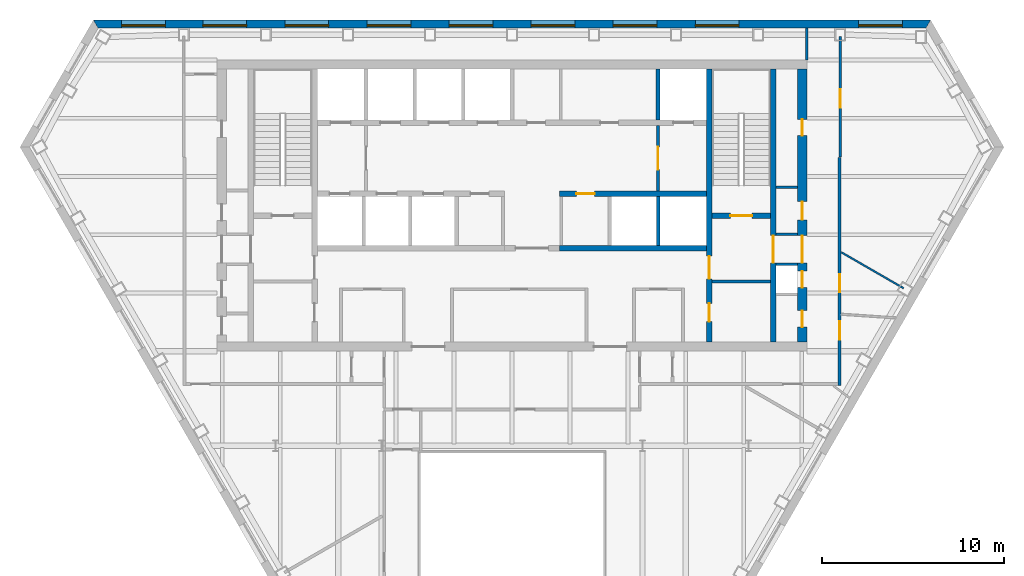
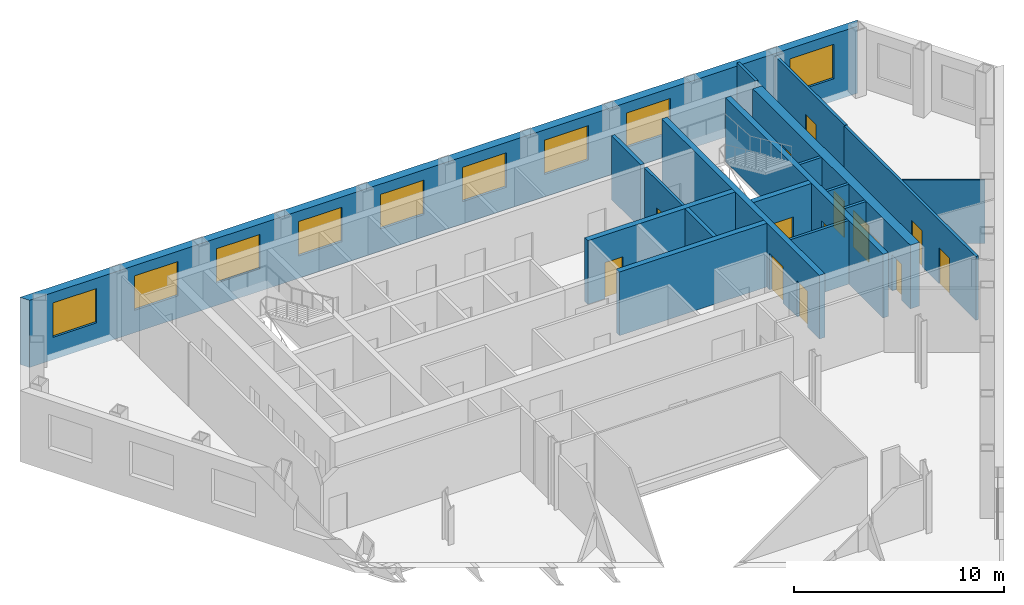
# One storey, part 7 of 11: 18 walls, 14 doors, 9 windows, 23 openings.
"""IFC4 building model written with IfcOpenShell, lengths in metres."""

from ifc_helpers import new_model, si_unit, direction, frame, frame_2d, origin, place, context, subcontext, project, spatial, polyline, rectangle, outline, extrude, material, layer, layer_set, type_object, element, fill, save


model = new_model("IFC4")

# Units and contexts
model_context = context("Model", 3, precision=1e-05, world=origin(), true_north=direction((0.0, 1.0)))
body_context = subcontext(model_context, "Body", "Model", "MODEL_VIEW")
ifc_project = project(units=[si_unit("LENGTHUNIT", "METRE"), si_unit("AREAUNIT", "SQUARE_METRE"), si_unit("VOLUMEUNIT", "CUBIC_METRE"), si_unit("PLANEANGLEUNIT", "RADIAN"), si_unit("MASSUNIT", "GRAM", prefix="KILO")], contexts=[model_context])

# Site, building, storey
site_placement = place(None, origin())
site = spatial("IfcSite", under=ifc_project, at=site_placement, CompositionType="ELEMENT")
building_placement = place(site_placement, origin())
building = spatial("IfcBuilding", under=site, at=building_placement, Name="Njiva Tower", CompositionType="ELEMENT")
storey_placement = place(building_placement, frame((0.0, 0.0, 182.7)))
storey = spatial("IfcBuildingStorey", under=building, at=storey_placement, Name="L40", CompositionType="ELEMENT", Elevation=182.7)

# Walls
ifc_material_1 = material(Name="Blockwork", Category="masonry")
ifc_layer_1 = layer(ifc_material_1, 0.15)
ifc_layer_set_1 = layer_set([ifc_layer_1], Name="Blockwork")
wall_type_1 = type_object("IfcWallType", Name="WT1 Compartment partition 150", PredefinedType="PARTITIONING", material=ifc_layer_set_1)
wall_1_placement = place(storey_placement, frame((11.0, 5.825, 0.0), z_axis=(0.0, 0.0, 1.0), x_axis=(1.0, 0.0, 0.0)))
element("IfcWall", 1, at=wall_1_placement, inside=storey, type_object=wall_type_1, Name="Room wall B", PredefinedType="PARTITIONING", context=body_context, shape_type="SweptSolid", body=[
    extrude(rectangle(XDim=3.2, YDim=0.15, at=frame_2d((1.6, 0.0))), origin(), (0.0, 0.0, 1.0), 3.7),
])
wall_2_placement = place(storey_placement, frame((14.5, 11.0067, 0.0), z_axis=(0.0, 0.0, 1.0), x_axis=(1.0, 0.0, 0.0)))
element("IfcWall", 2, at=wall_2_placement, inside=storey, type_object=wall_type_1, Name="Partition strip E10", PredefinedType="PARTITIONING", context=body_context, shape_type="SweptSolid", body=[
    extrude(rectangle(XDim=1.2, YDim=0.15, at=frame_2d((0.6, 0.0))), origin(), (0.0, 0.0, 1.0), 3.7),
])

# Wall, openings, doors
ifc_material_2 = material(Name="Concrete C40/50", Category="concrete")
ifc_layer_2 = layer(ifc_material_2, 0.3)
ifc_layer_set_2 = layer_set([ifc_layer_2], Name="Concrete C40/50")
wall_type_2 = type_object("IfcWallType", Name="WT10 Stair enclosure wall 300", PredefinedType="SHEAR", material=ifc_layer_set_2)
wall_3_placement = place(storey_placement, frame((10.85, 2.5, 0.0), z_axis=(0.0, 0.0, 1.0), x_axis=(0.0, 1.0, 0.0)))
wall_3 = element("IfcWall", 3, at=wall_3_placement, inside=storey, type_object=wall_type_2, Name="Stair wall east inner", PredefinedType="SHEAR", context=body_context, shape_type="SweptSolid", body=[
    extrude(rectangle(XDim=15.0, YDim=0.3, at=frame_2d((7.5, 0.0))), origin(), (0.0, 0.0, 1.0), 3.7),
])
opening_1_placement = place(wall_3_placement, frame((3.475, 0.0, 0.0)))
opening_1 = element("IfcOpeningElement", 4, at=opening_1_placement, cuts=wall_3, Name="Opening S13-D919", PredefinedType="OPENING", context=body_context, shape_type="SweptSolid", body=[
    extrude(rectangle(XDim=1.25, YDim=2.1, at=frame_2d((0.625, 1.05))), frame((0.0, 0.16, 0.0), z_axis=(0.0, -1.0, 0.0), x_axis=(1.0, 0.0, 0.0)), (0.0, 0.0, 1.0), 0.32),
])
opening_2_placement = place(wall_3_placement, frame((1.125, 0.0, 0.0)))
opening_2 = element("IfcOpeningElement", 5, at=opening_2_placement, cuts=wall_3, Name="Opening S13-D920", PredefinedType="OPENING", context=body_context, shape_type="SweptSolid", body=[
    extrude(rectangle(XDim=1.0, YDim=2.1, at=frame_2d((0.5, 1.05))), frame((0.0, 0.16, 0.0), z_axis=(0.0, -1.0, 0.0), x_axis=(1.0, 0.0, 0.0)), (0.0, 0.0, 1.0), 0.32),
])
ifc_material_3 = material(Name="Steel door, painted", Category="steel")
door_type_1 = type_object("IfcDoorType", Name="D5 Steel door 1000x2100", OperationType="SINGLE_SWING_LEFT", PredefinedType="DOOR", material=ifc_material_3)
door_1_placement = place(opening_2_placement, origin())
door_1 = element("IfcDoor", 6, at=door_1_placement, inside=storey, type_object=door_type_1, Name="Business centre door", OperationType="SINGLE_SWING_LEFT", OverallHeight=2.1, OverallWidth=1.0, PredefinedType="DOOR", context=body_context, shape_type="SweptSolid", body=[
    extrude(rectangle(XDim=1.0, YDim=2.1, at=frame_2d((0.5, 1.05))), frame((0.0, 0.025, 0.0), z_axis=(0.0, -1.0, 0.0), x_axis=(1.0, 0.0, 0.0)), (0.0, 0.0, 1.0), 0.05),
])
fill(opening_2, door_1)
ifc_material_4 = material(Name="Glazed steel fire door", Category="steel")
door_type_2 = type_object("IfcDoorType", Name="D8 Vestibule corridor door 1250x2100 glazed", OperationType="SINGLE_SWING_LEFT", PredefinedType="DOOR", material=ifc_material_4)
door_2_placement = place(opening_1_placement, origin())
door_2 = element("IfcDoor", 7, at=door_2_placement, inside=storey, type_object=door_type_2, Name="Stair vestibule corridor door", OperationType="SINGLE_SWING_RIGHT", OverallHeight=2.1, OverallWidth=1.25, PredefinedType="DOOR", context=body_context, shape_type="SweptSolid", body=[
    extrude(rectangle(XDim=1.25, YDim=2.1, at=frame_2d((0.625, 1.05))), frame((0.0, 0.025, 0.0), z_axis=(0.0, -1.0, 0.0), x_axis=(1.0, 0.0, 0.0)), (0.0, 0.0, 1.0), 0.05),
])
fill(opening_1, door_2)

# Wall, opening, door
wall_4_placement = place(storey_placement, frame((14.35, 2.5, 0.0), z_axis=(0.0, 0.0, 1.0), x_axis=(0.0, 1.0, 0.0)))
wall_4 = element("IfcWall", 8, at=wall_4_placement, inside=storey, type_object=wall_type_2, Name="Stair wall east outer", PredefinedType="SHEAR", context=body_context, shape_type="SweptSolid", body=[
    extrude(rectangle(XDim=15.0, YDim=0.3, at=frame_2d((7.5, 0.0))), origin(), (0.0, 0.0, 1.0), 3.7),
])
opening_3_placement = place(wall_4_placement, frame((4.35, 0.0, 0.0)))
opening_3 = element("IfcOpeningElement", 9, at=opening_3_placement, cuts=wall_4, Name="Opening S13-D927", PredefinedType="OPENING", context=body_context, shape_type="SweptSolid", body=[
    extrude(rectangle(XDim=1.5, YDim=2.1, at=frame_2d((0.75, 1.05))), frame((0.0, 0.16, 0.0), z_axis=(0.0, -1.0, 0.0), x_axis=(1.0, 0.0, 0.0)), (0.0, 0.0, 1.0), 0.32),
])
door_type_3 = type_object("IfcDoorType", Name="D10 Exit door double 1500x2100 glazed", OperationType="DOUBLE_DOOR_SINGLE_SWING", PredefinedType="DOOR", material=ifc_material_4)
door_3_placement = place(opening_3_placement, origin())
door_3 = element("IfcDoor", 10, at=door_3_placement, inside=storey, type_object=door_type_3, Name="Stair B passage door", OperationType="DOUBLE_DOOR_SINGLE_SWING", OverallHeight=2.1, OverallWidth=1.5, PredefinedType="DOOR", context=body_context, shape_type="SweptSolid", body=[
    extrude(rectangle(XDim=1.5, YDim=2.1, at=frame_2d((0.75, 1.05))), frame((0.0, 0.025, 0.0), z_axis=(0.0, -1.0, 0.0), x_axis=(1.0, 0.0, 0.0)), (0.0, 0.0, 1.0), 0.05),
])
fill(opening_3, door_3)

wall_5_placement = place(storey_placement, frame((11.0, 9.45, 0.0), z_axis=(0.0, 0.0, 1.0), x_axis=(1.0, 0.0, 0.0)))
wall_5 = element("IfcWall", 11, at=wall_5_placement, inside=storey, type_object=wall_type_2, Name="Stair B south wall", PredefinedType="SHEAR", context=body_context, shape_type="SweptSolid", body=[
    extrude(rectangle(XDim=3.2, YDim=0.3, at=frame_2d((1.6, 0.0))), origin(), (0.0, 0.0, 1.0), 3.7),
])
opening_4_placement = place(wall_5_placement, frame((1.0, 0.0, 0.0)))
opening_4 = element("IfcOpeningElement", 12, at=opening_4_placement, cuts=wall_5, Name="Opening S13-D918", PredefinedType="OPENING", context=body_context, shape_type="SweptSolid", body=[
    extrude(rectangle(XDim=1.2, YDim=2.1, at=frame_2d((0.6, 1.05))), frame((0.0, 0.16, 0.0), z_axis=(0.0, -1.0, 0.0), x_axis=(1.0, 0.0, 0.0)), (0.0, 0.0, 1.0), 0.32),
])
door_type_4 = type_object("IfcDoorType", Name="D7 Stair vestibule door 1200x2100 glazed", OperationType="SINGLE_SWING_LEFT", PredefinedType="DOOR", material=ifc_material_4)
door_4_placement = place(opening_4_placement, origin())
door_4 = element("IfcDoor", 13, at=door_4_placement, inside=storey, type_object=door_type_4, Name="Stair B door", OperationType="SINGLE_SWING_LEFT", OverallHeight=2.1, OverallWidth=1.2, PredefinedType="DOOR", context=body_context, shape_type="SweptSolid", body=[
    extrude(rectangle(XDim=1.2, YDim=2.1, at=frame_2d((0.6, 1.05))), frame((0.0, 0.025, 0.0), z_axis=(0.0, -1.0, 0.0), x_axis=(1.0, 0.0, 0.0)), (0.0, 0.0, 1.0), 0.05),
])
fill(opening_4, door_4)

# Wall, openings, doors
ifc_material_5 = material(Name="Concrete C60/75", Category="concrete")
ifc_layer_3 = layer(ifc_material_5, 0.5)
ifc_layer_set_3 = layer_set([ifc_layer_3], Name="Concrete C60/75")
wall_type_3 = type_object("IfcWallType", Name="WT13 Core wall 500", PredefinedType="SHEAR", material=ifc_layer_set_3)
wall_6_placement = place(storey_placement, frame((15.95, 2.5, 0.0), z_axis=(0.0, 0.0, 1.0), x_axis=(0.0, 1.0, 0.0)))
wall_6 = element("IfcWall", 14, at=wall_6_placement, inside=storey, type_object=wall_type_3, Name="Core wall east", PredefinedType="SHEAR", context=body_context, shape_type="SweptSolid", body=[
    extrude(rectangle(XDim=15.0, YDim=0.5, at=frame_2d((7.5, 0.0))), origin(), (0.0, 0.0, 1.0), 3.7),
])
opening_5_placement = place(wall_6_placement, frame((4.35, 0.0, 0.0)))
opening_5 = element("IfcOpeningElement", 15, at=opening_5_placement, cuts=wall_6, Name="Opening S13-D928", PredefinedType="OPENING", context=body_context, shape_type="SweptSolid", body=[
    extrude(rectangle(XDim=1.5, YDim=2.1, at=frame_2d((0.75, 1.05))), frame((0.0, 0.26, 0.0), z_axis=(0.0, -1.0, 0.0), x_axis=(1.0, 0.0, 0.0)), (0.0, 0.0, 1.0), 0.52),
])
opening_6_placement = place(wall_6_placement, frame((0.825, 0.0, 0.0)))
opening_6 = element("IfcOpeningElement", 16, at=opening_6_placement, cuts=wall_6, Name="Opening S13-D929", PredefinedType="OPENING", context=body_context, shape_type="SweptSolid", body=[
    extrude(rectangle(XDim=0.9, YDim=2.1, at=frame_2d((0.45, 1.05))), frame((0.0, 0.26, 0.0), z_axis=(0.0, -1.0, 0.0), x_axis=(1.0, 0.0, 0.0)), (0.0, 0.0, 1.0), 0.52),
])
opening_7_placement = place(wall_6_placement, frame((3.0, 0.0, 0.0)))
opening_7 = element("IfcOpeningElement", 17, at=opening_7_placement, cuts=wall_6, Name="Opening S13-D930", PredefinedType="OPENING", context=body_context, shape_type="SweptSolid", body=[
    extrude(rectangle(XDim=0.9, YDim=2.1, at=frame_2d((0.45, 1.05))), frame((0.0, 0.26, 0.0), z_axis=(0.0, -1.0, 0.0), x_axis=(1.0, 0.0, 0.0)), (0.0, 0.0, 1.0), 0.52),
])
opening_8_placement = place(wall_6_placement, frame((6.7158, 0.0, 0.0)))
opening_8 = element("IfcOpeningElement", 18, at=opening_8_placement, cuts=wall_6, Name="Opening S13-D931", PredefinedType="OPENING", context=body_context, shape_type="SweptSolid", body=[
    extrude(rectangle(XDim=1.0, YDim=2.1, at=frame_2d((0.5, 1.05))), frame((0.0, 0.26, 0.0), z_axis=(0.0, -1.0, 0.0), x_axis=(1.0, 0.0, 0.0)), (0.0, 0.0, 1.0), 0.52),
])
opening_9_placement = place(wall_6_placement, frame((11.3408, 0.0, 0.0)))
opening_9 = element("IfcOpeningElement", 19, at=opening_9_placement, cuts=wall_6, Name="Opening S13-D932", PredefinedType="OPENING", context=body_context, shape_type="SweptSolid", body=[
    extrude(rectangle(XDim=0.9, YDim=2.1, at=frame_2d((0.45, 1.05))), frame((0.0, 0.26, 0.0), z_axis=(0.0, -1.0, 0.0), x_axis=(1.0, 0.0, 0.0)), (0.0, 0.0, 1.0), 0.52),
])
door_5_placement = place(opening_5_placement, origin())
door_5 = element("IfcDoor", 20, at=door_5_placement, inside=storey, type_object=door_type_3, Name="Stair B corridor door", OperationType="DOUBLE_DOOR_SINGLE_SWING", OverallHeight=2.1, OverallWidth=1.5, PredefinedType="DOOR", context=body_context, shape_type="SweptSolid", body=[
    extrude(rectangle(XDim=1.5, YDim=2.1, at=frame_2d((0.75, 1.05))), frame((0.0, 0.025, 0.0), z_axis=(0.0, -1.0, 0.0), x_axis=(1.0, 0.0, 0.0)), (0.0, 0.0, 1.0), 0.05),
])
fill(opening_5, door_5)
door_type_5 = type_object("IfcDoorType", Name="D4 Riser door 900x2100", OperationType="SINGLE_SWING_LEFT", PredefinedType="DOOR", material=ifc_material_3)
door_6_placement = place(opening_7_placement, origin())
door_6 = element("IfcDoor", 21, at=door_6_placement, inside=storey, type_object=door_type_5, Name="Cable riser door", OperationType="SINGLE_SWING_LEFT", OverallHeight=2.1, OverallWidth=0.9, PredefinedType="DOOR", context=body_context, shape_type="SweptSolid", body=[
    extrude(rectangle(XDim=0.9, YDim=2.1, at=frame_2d((0.45, 1.05))), frame((0.0, 0.025, 0.0), z_axis=(0.0, -1.0, 0.0), x_axis=(1.0, 0.0, 0.0)), (0.0, 0.0, 1.0), 0.05),
])
fill(opening_7, door_6)
door_7_placement = place(opening_8_placement, origin())
door_7 = element("IfcDoor", 22, at=door_7_placement, inside=storey, type_object=door_type_1, Name="Telecoms room door", OperationType="SINGLE_SWING_LEFT", OverallHeight=2.1, OverallWidth=1.0, PredefinedType="DOOR", context=body_context, shape_type="SweptSolid", body=[
    extrude(rectangle(XDim=1.0, YDim=2.1, at=frame_2d((0.5, 1.05))), frame((0.0, 0.025, 0.0), z_axis=(0.0, -1.0, 0.0), x_axis=(1.0, 0.0, 0.0)), (0.0, 0.0, 1.0), 0.05),
])
fill(opening_8, door_7)
ifc_material_6 = material(Name="Steel fire door, painted", Category="steel")
door_type_6 = type_object("IfcDoorType", Name="D6 Fire-rated door 900x2100", OperationType="SINGLE_SWING_LEFT", PredefinedType="DOOR", material=ifc_material_6)
door_8_placement = place(opening_6_placement, origin())
door_8 = element("IfcDoor", 23, at=door_8_placement, inside=storey, type_object=door_type_6, Name="Cable store door", OperationType="SINGLE_SWING_LEFT", OverallHeight=2.1, OverallWidth=0.9, PredefinedType="DOOR", context=body_context, shape_type="SweptSolid", body=[
    extrude(rectangle(XDim=0.9, YDim=2.1, at=frame_2d((0.45, 1.05))), frame((0.0, 0.025, 0.0), z_axis=(0.0, -1.0, 0.0), x_axis=(1.0, 0.0, 0.0)), (0.0, 0.0, 1.0), 0.05),
])
fill(opening_6, door_8)
door_9_placement = place(opening_9_placement, origin())
door_9 = element("IfcDoor", 24, at=door_9_placement, inside=storey, type_object=door_type_6, Name="Cable store door", OperationType="SINGLE_SWING_RIGHT", OverallHeight=2.1, OverallWidth=0.9, PredefinedType="DOOR", context=body_context, shape_type="SweptSolid", body=[
    extrude(rectangle(XDim=0.9, YDim=2.1, at=frame_2d((0.45, 1.05))), frame((0.0, 0.025, 0.0), z_axis=(0.0, -1.0, 0.0), x_axis=(1.0, 0.0, 0.0)), (0.0, 0.0, 1.0), 0.05),
])
fill(opening_9, door_9)

# Wall, opening, door
ifc_layer_4 = layer(ifc_material_1, 0.15)
ifc_layer_set_4 = layer_set([ifc_layer_4], Name="Blockwork")
wall_type_4 = type_object("IfcWallType", Name="WT2 Lobby partition 150", PredefinedType="PARTITIONING", material=ifc_layer_set_4)
wall_7_placement = place(storey_placement, frame((8.025, 10.8, 0.0), z_axis=(0.0, 0.0, 1.0), x_axis=(0.0, 1.0, 0.0)))
wall_7 = element("IfcWall", 25, at=wall_7_placement, inside=storey, type_object=wall_type_4, Name="Firefighting lobby wall B", PredefinedType="PARTITIONING", context=body_context, shape_type="SweptSolid", body=[
    extrude(rectangle(XDim=3.6, YDim=0.15, at=frame_2d((1.8, 0.0))), origin(), (0.0, 0.0, 1.0), 3.7),
])
opening_10_placement = place(wall_7_placement, frame((1.175, 0.0, 0.0)))
opening_10 = element("IfcOpeningElement", 26, at=opening_10_placement, cuts=wall_7, Name="Opening S13-D917", PredefinedType="OPENING", context=body_context, shape_type="SweptSolid", body=[
    extrude(rectangle(XDim=1.25, YDim=2.1, at=frame_2d((0.625, 1.05))), frame((0.0, 0.085, 0.0), z_axis=(0.0, -1.0, 0.0), x_axis=(1.0, 0.0, 0.0)), (0.0, 0.0, 1.0), 0.17),
])
door_10_placement = place(opening_10_placement, origin())
door_10 = element("IfcDoor", 27, at=door_10_placement, inside=storey, type_object=door_type_2, Name="Stair vestibule corridor door", OperationType="SINGLE_SWING_LEFT", OverallHeight=2.1, OverallWidth=1.25, PredefinedType="DOOR", context=body_context, shape_type="SweptSolid", body=[
    extrude(rectangle(XDim=1.25, YDim=2.1, at=frame_2d((0.625, 1.05))), frame((0.0, 0.025, 0.0), z_axis=(0.0, -1.0, 0.0), x_axis=(1.0, 0.0, 0.0)), (0.0, 0.0, 1.0), 0.05),
])
fill(opening_10, door_10)

# Walls
ifc_material_7 = material(Name="Gypsum board on steel studs", Category="gypsum")
ifc_layer_5 = layer(ifc_material_7, 0.1)
ifc_layer_set_5 = layer_set([ifc_layer_5], Name="Gypsum board on steel studs")
wall_type_5 = type_object("IfcWallType", Name="WT20 Gypsum partition 100", PredefinedType="PARTITIONING", material=ifc_layer_set_5)
wall_8_placement = place(storey_placement, frame((18.1, 7.434, 0.0), z_axis=(0.0, 0.0, 1.0), x_axis=(0.866113839764, -0.499846793097, 0.0)))
element("IfcWall", 28, at=wall_8_placement, inside=storey, type_object=wall_type_5, Name="Partition S13-P030", PredefinedType="PARTITIONING", context=body_context, shape_type="SweptSolid", body=[
    extrude(rectangle(XDim=3.9452, YDim=0.1, at=frame_2d((1.9726, 0.0))), origin(), (0.0, 0.0, 1.0), 3.7),
])
ifc_layer_6 = layer(ifc_material_7, 0.15)
ifc_layer_set_6 = layer_set([ifc_layer_6], Name="Gypsum board on steel studs")
wall_type_6 = type_object("IfcWallType", Name="WT21 Compartment wall 150", PredefinedType="PARTITIONING", material=ifc_layer_set_6)
wall_9_placement = place(storey_placement, frame((16.2, 18.0, 0.0), z_axis=(0.0, 0.0, 1.0), x_axis=(0.0, 1.0, 0.0)))
element("IfcWall", 29, at=wall_9_placement, inside=storey, type_object=wall_type_6, Name="Partition S13-P025", PredefinedType="PARTITIONING", context=body_context, shape_type="SweptSolid", body=[
    extrude(rectangle(XDim=1.75, YDim=0.15, at=frame_2d((0.875, 0.0))), origin(), (0.0, 0.0, 1.0), 3.7),
])

# Wall, openings, doors
wall_10_placement = place(storey_placement, frame((18.0, 0.125, 0.0), z_axis=(0.0, 0.0, 1.0), x_axis=(0.0, 1.0, 0.0)))
wall_10 = element("IfcWall", 30, at=wall_10_placement, inside=storey, type_object=wall_type_6, Name="Partition S13-P027", PredefinedType="PARTITIONING", context=body_context, shape_type="SweptSolid", body=[
    extrude(rectangle(XDim=12.531, YDim=0.15, at=frame_2d((6.2655, 0.0))), origin(), (0.0, 0.0, 1.0), 3.7),
])
opening_11_placement = place(wall_10_placement, frame((2.51, 0.0, 0.0)))
opening_11 = element("IfcOpeningElement", 31, at=opening_11_placement, cuts=wall_10, Name="Opening S13-D013", PredefinedType="OPENING", context=body_context, shape_type="SweptSolid", body=[
    extrude(rectangle(XDim=1.0, YDim=2.1, at=frame_2d((0.5, 1.05))), frame((0.0, 0.085, 0.0), z_axis=(0.0, -1.0, 0.0), x_axis=(1.0, 0.0, 0.0)), (0.0, 0.0, 1.0), 0.17),
])
opening_12_placement = place(wall_10_placement, frame((5.114, 0.0, 0.0)))
opening_12 = element("IfcOpeningElement", 32, at=opening_12_placement, cuts=wall_10, Name="Opening S13-D014", PredefinedType="OPENING", context=body_context, shape_type="SweptSolid", body=[
    extrude(rectangle(XDim=1.0, YDim=2.1, at=frame_2d((0.5, 1.05))), frame((0.0, 0.085, 0.0), z_axis=(0.0, -1.0, 0.0), x_axis=(1.0, 0.0, 0.0)), (0.0, 0.0, 1.0), 0.17),
])
ifc_material_8 = material(Name="Steel fire door set", Category="steel")
door_type_7 = type_object("IfcDoorType", Name="D37 Fire door 1000x2100", OperationType="SINGLE_SWING_LEFT", PredefinedType="DOOR", material=ifc_material_8)
door_11_placement = place(opening_11_placement, origin())
door_11 = element("IfcDoor", 33, at=door_11_placement, inside=storey, type_object=door_type_7, Name="Door S13-D013", OperationType="SINGLE_SWING_LEFT", OverallHeight=2.1, OverallWidth=1.0, PredefinedType="DOOR", context=body_context, shape_type="SweptSolid", body=[
    extrude(rectangle(XDim=1.0, YDim=2.1, at=frame_2d((0.5, 1.05))), frame((0.0, 0.025, 0.0), z_axis=(0.0, -1.0, 0.0), x_axis=(1.0, 0.0, 0.0)), (0.0, 0.0, 1.0), 0.05),
])
fill(opening_11, door_11)
door_12_placement = place(opening_12_placement, origin())
door_12 = element("IfcDoor", 34, at=door_12_placement, inside=storey, type_object=door_type_7, Name="Door S13-D014", OperationType="SINGLE_SWING_LEFT", OverallHeight=2.1, OverallWidth=1.0, PredefinedType="DOOR", context=body_context, shape_type="SweptSolid", body=[
    extrude(rectangle(XDim=1.0, YDim=2.1, at=frame_2d((0.5, 1.05))), frame((0.0, 0.025, 0.0), z_axis=(0.0, -1.0, 0.0), x_axis=(1.0, 0.0, 0.0)), (0.0, 0.0, 1.0), 0.05),
])
fill(opening_12, door_12)

# Wall, opening, door
wall_11_placement = place(storey_placement, frame((18.035, 12.678, 0.0), z_axis=(0.0, 0.0, 1.0), x_axis=(0.0, 1.0, 0.0)))
wall_11 = element("IfcWall", 35, at=wall_11_placement, inside=storey, type_object=wall_type_6, Name="Partition S13-P028", PredefinedType="PARTITIONING", context=body_context, shape_type="SweptSolid", body=[
    extrude(rectangle(XDim=6.622, YDim=0.15, at=frame_2d((3.311, 0.0))), origin(), (0.0, 0.0, 1.0), 3.7),
])
opening_13_placement = place(wall_11_placement, frame((2.711, 0.0, 0.0)))
opening_13 = element("IfcOpeningElement", 36, at=opening_13_placement, cuts=wall_11, Name="Opening S13-D015", PredefinedType="OPENING", context=body_context, shape_type="SweptSolid", body=[
    extrude(rectangle(XDim=1.0, YDim=2.1, at=frame_2d((0.5, 1.05))), frame((0.0, 0.085, 0.0), z_axis=(0.0, -1.0, 0.0), x_axis=(1.0, 0.0, 0.0)), (0.0, 0.0, 1.0), 0.17),
])
door_13_placement = place(opening_13_placement, origin())
door_13 = element("IfcDoor", 37, at=door_13_placement, inside=storey, type_object=door_type_7, Name="Door S13-D015", OperationType="SINGLE_SWING_LEFT", OverallHeight=2.1, OverallWidth=1.0, PredefinedType="DOOR", context=body_context, shape_type="SweptSolid", body=[
    extrude(rectangle(XDim=1.0, YDim=2.1, at=frame_2d((0.5, 1.05))), frame((0.0, 0.025, 0.0), z_axis=(0.0, -1.0, 0.0), x_axis=(1.0, 0.0, 0.0)), (0.0, 0.0, 1.0), 0.05),
])
fill(opening_13, door_13)

# Walls
ifc_layer_7 = layer(ifc_material_1, 0.15)
ifc_layer_set_7 = layer_set([ifc_layer_7], Name="Blockwork")
wall_type_7 = type_object("IfcWallType", Name="WT4 Stair partition 150", PredefinedType="PARTITIONING", material=ifc_layer_set_7)
for number, where, z_axis, x_axis, name in (
    (38, (14.5, 6.775, 0.0), (0.0, 0.0, 1.0), (1.0, 0.0, 0.0), "Stair B exit passage wall south"),
    (39, (14.5, 8.425, 0.0), (0.0, 0.0, 1.0), (1.0, 0.0, 0.0), "Stair B exit passage wall north"),
):
    element("IfcWall", number, at=place(storey_placement, frame(where, z_axis=z_axis, x_axis=x_axis)), inside=storey, type_object=wall_type_7, Name=name, PredefinedType="PARTITIONING", context=body_context, shape_type="SweptSolid", body=[
        extrude(rectangle(XDim=1.2, YDim=0.15, at=frame_2d((0.6, 0.0))), origin(), (0.0, 0.0, 1.0), 3.7),
    ])
ifc_layer_8 = layer(ifc_material_2, 0.2)
ifc_layer_set_8 = layer_set([ifc_layer_8], Name="Concrete C40/50")
wall_type_8 = type_object("IfcWallType", Name="WT6 Lift shaft wall 200", PredefinedType="SHEAR", material=ifc_layer_set_8)
wall_12_placement = place(storey_placement, frame((8.025, 14.7, 0.0), z_axis=(0.0, 0.0, 1.0), x_axis=(0.0, 1.0, 0.0)))
element("IfcWall", 40, at=wall_12_placement, inside=storey, type_object=wall_type_8, Name="Shaft wall CN7", PredefinedType="SHEAR", context=body_context, shape_type="SweptSolid", body=[
    extrude(rectangle(XDim=2.8, YDim=0.2, at=frame_2d((1.4, 0.0))), origin(), (0.0, 0.0, 1.0), 3.7),
])
wall_13_placement = place(storey_placement, frame((8.0333, 7.8, 0.0), z_axis=(0.0, 0.0, 1.0), x_axis=(0.0, 1.0, 0.0)))
element("IfcWall", 41, at=wall_13_placement, inside=storey, type_object=wall_type_8, Name="Shaft wall CS7", PredefinedType="SHEAR", context=body_context, shape_type="SweptSolid", body=[
    extrude(rectangle(XDim=2.7, YDim=0.2, at=frame_2d((1.35, 0.0))), origin(), (0.0, 0.0, 1.0), 3.7),
])

# Wall, opening, door
ifc_layer_9 = layer(ifc_material_2, 0.3)
ifc_layer_set_9 = layer_set([ifc_layer_9], Name="Concrete C40/50")
wall_type_9 = type_object("IfcWallType", Name="WT7 Lift shaft wall 300", PredefinedType="SHEAR", material=ifc_layer_set_9)
wall_14_placement = place(storey_placement, frame((2.6, 10.65, 0.0), z_axis=(0.0, 0.0, 1.0), x_axis=(1.0, 0.0, 0.0)))
wall_14 = element("IfcWall", 42, at=wall_14_placement, inside=storey, type_object=wall_type_9, Name="Shaft wall south row lobby side E", PredefinedType="SHEAR", context=body_context, shape_type="SweptSolid", body=[
    extrude(rectangle(XDim=8.1, YDim=0.3, at=frame_2d((4.05, 0.0))), origin(), (0.0, 0.0, 1.0), 3.7),
])
opening_14_placement = place(wall_14_placement, frame((0.9334, 0.0, 0.0)))
opening_14 = element("IfcOpeningElement", 43, at=opening_14_placement, cuts=wall_14, Name="Opening S13-D912", PredefinedType="OPENING", context=body_context, shape_type="SweptSolid", body=[
    extrude(rectangle(XDim=1.0, YDim=2.1, at=frame_2d((0.5, 1.05))), frame((0.0, 0.16, 0.0), z_axis=(0.0, -1.0, 0.0), x_axis=(1.0, 0.0, 0.0)), (0.0, 0.0, 1.0), 0.32),
])
door_14_placement = place(opening_14_placement, origin())
door_14 = element("IfcDoor", 44, at=door_14_placement, inside=storey, type_object=door_type_1, Name="Meeting room door", OperationType="SINGLE_SWING_LEFT", OverallHeight=2.1, OverallWidth=1.0, PredefinedType="DOOR", context=body_context, shape_type="SweptSolid", body=[
    extrude(rectangle(XDim=1.0, YDim=2.1, at=frame_2d((0.5, 1.05))), frame((0.0, 0.025, 0.0), z_axis=(0.0, -1.0, 0.0), x_axis=(1.0, 0.0, 0.0)), (0.0, 0.0, 1.0), 0.05),
])
fill(opening_14, door_14)

# Wall
wall_15_placement = place(storey_placement, frame((2.6, 7.65, 0.0), z_axis=(0.0, 0.0, 1.0), x_axis=(1.0, 0.0, 0.0)))
element("IfcWall", 45, at=wall_15_placement, inside=storey, type_object=wall_type_9, Name="Shaft wall south row back E", PredefinedType="SHEAR", context=body_context, shape_type="SweptSolid", body=[
    extrude(rectangle(XDim=8.1, YDim=0.3, at=frame_2d((4.05, 0.0))), origin(), (0.0, 0.0, 1.0), 3.7),
])

# Wall, openings, windows
ifc_material_9 = material(Name="Brick masonry", Category="masonry")
ifc_layer_10 = layer(ifc_material_9, 0.45)
ifc_layer_set_10 = layer_set([ifc_layer_10], Name="Brick masonry")
wall_type_10 = type_object("IfcWallType", Name="WT90 Brick pier and spandrel wall 450", PredefinedType="SOLIDWALL", material=ifc_layer_set_10)
wall_16_placement = place(storey_placement, frame((22.8751, 19.975, -0.4), z_axis=(0.0, 0.0, 1.0), x_axis=(-1.0, 0.0, 0.0)))
wall_16 = element("IfcWall", 46, at=wall_16_placement, inside=storey, type_object=wall_type_10, Name="Facade wall N", PredefinedType="SOLIDWALL", context=body_context, shape_type="SweptSolid", body=[
    extrude(outline(polyline([(-0.1299, -0.225), (45.8801, -0.225), (45.6203, 0.225), (0.1299, 0.225), (-0.1299, -0.225)])), origin(), (0.0, 0.0, 1.0), 3.9),
])
opening_15_placement = place(wall_16_placement, frame((1.4247, 0.0, 1.3)))
opening_15 = element("IfcOpeningElement", 47, at=opening_15_placement, cuts=wall_16, Name="Opening S13-W01", PredefinedType="OPENING", context=body_context, shape_type="SweptSolid", body=[
    extrude(rectangle(XDim=2.4, YDim=2.0, at=frame_2d((1.2, 1.0))), frame((0.0, 0.235, 0.0), z_axis=(0.0, -1.0, 0.0), x_axis=(1.0, 0.0, 0.0)), (0.0, 0.0, 1.0), 0.47),
])
opening_16_placement = place(wall_16_placement, frame((10.4035, 0.0, 1.3)))
opening_16 = element("IfcOpeningElement", 48, at=opening_16_placement, cuts=wall_16, Name="Opening S13-W02", PredefinedType="OPENING", context=body_context, shape_type="SweptSolid", body=[
    extrude(rectangle(XDim=2.4, YDim=2.0, at=frame_2d((1.2, 1.0))), frame((0.0, 0.235, 0.0), z_axis=(0.0, -1.0, 0.0), x_axis=(1.0, 0.0, 0.0)), (0.0, 0.0, 1.0), 0.47),
])
opening_17_placement = place(wall_16_placement, frame((14.9122, 0.0, 1.3)))
opening_17 = element("IfcOpeningElement", 49, at=opening_17_placement, cuts=wall_16, Name="Opening S13-W03", PredefinedType="OPENING", context=body_context, shape_type="SweptSolid", body=[
    extrude(rectangle(XDim=2.4, YDim=2.0, at=frame_2d((1.2, 1.0))), frame((0.0, 0.235, 0.0), z_axis=(0.0, -1.0, 0.0), x_axis=(1.0, 0.0, 0.0)), (0.0, 0.0, 1.0), 0.47),
])
opening_18_placement = place(wall_16_placement, frame((19.4208, 0.0, 1.3)))
opening_18 = element("IfcOpeningElement", 50, at=opening_18_placement, cuts=wall_16, Name="Opening S13-W04", PredefinedType="OPENING", context=body_context, shape_type="SweptSolid", body=[
    extrude(rectangle(XDim=2.4, YDim=2.0, at=frame_2d((1.2, 1.0))), frame((0.0, 0.235, 0.0), z_axis=(0.0, -1.0, 0.0), x_axis=(1.0, 0.0, 0.0)), (0.0, 0.0, 1.0), 0.47),
])
opening_19_placement = place(wall_16_placement, frame((23.9294, 0.0, 1.3)))
opening_19 = element("IfcOpeningElement", 51, at=opening_19_placement, cuts=wall_16, Name="Opening S13-W05", PredefinedType="OPENING", context=body_context, shape_type="SweptSolid", body=[
    extrude(rectangle(XDim=2.4, YDim=2.0, at=frame_2d((1.2, 1.0))), frame((0.0, 0.235, 0.0), z_axis=(0.0, -1.0, 0.0), x_axis=(1.0, 0.0, 0.0)), (0.0, 0.0, 1.0), 0.47),
])
opening_20_placement = place(wall_16_placement, frame((28.438, 0.0, 1.3)))
opening_20 = element("IfcOpeningElement", 52, at=opening_20_placement, cuts=wall_16, Name="Opening S13-W06", PredefinedType="OPENING", context=body_context, shape_type="SweptSolid", body=[
    extrude(rectangle(XDim=2.4, YDim=2.0, at=frame_2d((1.2, 1.0))), frame((0.0, 0.235, 0.0), z_axis=(0.0, -1.0, 0.0), x_axis=(1.0, 0.0, 0.0)), (0.0, 0.0, 1.0), 0.47),
])
opening_21_placement = place(wall_16_placement, frame((32.9466, 0.0, 1.3)))
opening_21 = element("IfcOpeningElement", 53, at=opening_21_placement, cuts=wall_16, Name="Opening S13-W07", PredefinedType="OPENING", context=body_context, shape_type="SweptSolid", body=[
    extrude(rectangle(XDim=2.4, YDim=2.0, at=frame_2d((1.2, 1.0))), frame((0.0, 0.235, 0.0), z_axis=(0.0, -1.0, 0.0), x_axis=(1.0, 0.0, 0.0)), (0.0, 0.0, 1.0), 0.47),
])
opening_22_placement = place(wall_16_placement, frame((37.4553, 0.0, 1.3)))
opening_22 = element("IfcOpeningElement", 54, at=opening_22_placement, cuts=wall_16, Name="Opening S13-W08", PredefinedType="OPENING", context=body_context, shape_type="SweptSolid", body=[
    extrude(rectangle(XDim=2.4, YDim=2.0, at=frame_2d((1.2, 1.0))), frame((0.0, 0.235, 0.0), z_axis=(0.0, -1.0, 0.0), x_axis=(1.0, 0.0, 0.0)), (0.0, 0.0, 1.0), 0.47),
])
opening_23_placement = place(wall_16_placement, frame((41.9255, 0.0, 1.3)))
opening_23 = element("IfcOpeningElement", 55, at=opening_23_placement, cuts=wall_16, Name="Opening S13-W09", PredefinedType="OPENING", context=body_context, shape_type="SweptSolid", body=[
    extrude(rectangle(XDim=2.4, YDim=2.0, at=frame_2d((1.2, 1.0))), frame((0.0, 0.235, 0.0), z_axis=(0.0, -1.0, 0.0), x_axis=(1.0, 0.0, 0.0)), (0.0, 0.0, 1.0), 0.47),
])
ifc_material_10 = material(Name="Clear glazing in aluminium frame", Category="aluminium")
window_type = type_object("IfcWindowType", Name="W90 Deep-set window 2400x2000", PartitioningType="SINGLE_PANEL", PredefinedType="WINDOW", material=ifc_material_10)
window_1_placement = place(opening_15_placement, origin())
window_1 = element("IfcWindow", 56, at=window_1_placement, inside=storey, type_object=window_type, Name="Window", OverallHeight=2.0, OverallWidth=2.4, PartitioningType="SINGLE_PANEL", PredefinedType="WINDOW", context=body_context, shape_type="SweptSolid", body=[
    extrude(rectangle(XDim=2.4, YDim=2.0, at=frame_2d((1.2, 1.0))), frame((0.0, 0.105, 0.0), z_axis=(0.0, -1.0, 0.0), x_axis=(1.0, 0.0, 0.0)), (0.0, 0.0, 1.0), 0.06),
])
fill(opening_15, window_1)
window_2_placement = place(opening_16_placement, origin())
window_2 = element("IfcWindow", 57, at=window_2_placement, inside=storey, type_object=window_type, Name="Window", OverallHeight=2.0, OverallWidth=2.4, PartitioningType="SINGLE_PANEL", PredefinedType="WINDOW", context=body_context, shape_type="SweptSolid", body=[
    extrude(rectangle(XDim=2.4, YDim=2.0, at=frame_2d((1.2, 1.0))), frame((0.0, 0.105, 0.0), z_axis=(0.0, -1.0, 0.0), x_axis=(1.0, 0.0, 0.0)), (0.0, 0.0, 1.0), 0.06),
])
fill(opening_16, window_2)
window_3_placement = place(opening_17_placement, origin())
window_3 = element("IfcWindow", 58, at=window_3_placement, inside=storey, type_object=window_type, Name="Window", OverallHeight=2.0, OverallWidth=2.4, PartitioningType="SINGLE_PANEL", PredefinedType="WINDOW", context=body_context, shape_type="SweptSolid", body=[
    extrude(rectangle(XDim=2.4, YDim=2.0, at=frame_2d((1.2, 1.0))), frame((0.0, 0.105, 0.0), z_axis=(0.0, -1.0, 0.0), x_axis=(1.0, 0.0, 0.0)), (0.0, 0.0, 1.0), 0.06),
])
fill(opening_17, window_3)
window_4_placement = place(opening_18_placement, origin())
window_4 = element("IfcWindow", 59, at=window_4_placement, inside=storey, type_object=window_type, Name="Window", OverallHeight=2.0, OverallWidth=2.4, PartitioningType="SINGLE_PANEL", PredefinedType="WINDOW", context=body_context, shape_type="SweptSolid", body=[
    extrude(rectangle(XDim=2.4, YDim=2.0, at=frame_2d((1.2, 1.0))), frame((0.0, 0.105, 0.0), z_axis=(0.0, -1.0, 0.0), x_axis=(1.0, 0.0, 0.0)), (0.0, 0.0, 1.0), 0.06),
])
fill(opening_18, window_4)
window_5_placement = place(opening_19_placement, origin())
window_5 = element("IfcWindow", 60, at=window_5_placement, inside=storey, type_object=window_type, Name="Window", OverallHeight=2.0, OverallWidth=2.4, PartitioningType="SINGLE_PANEL", PredefinedType="WINDOW", context=body_context, shape_type="SweptSolid", body=[
    extrude(rectangle(XDim=2.4, YDim=2.0, at=frame_2d((1.2, 1.0))), frame((0.0, 0.105, 0.0), z_axis=(0.0, -1.0, 0.0), x_axis=(1.0, 0.0, 0.0)), (0.0, 0.0, 1.0), 0.06),
])
fill(opening_19, window_5)
window_6_placement = place(opening_20_placement, origin())
window_6 = element("IfcWindow", 61, at=window_6_placement, inside=storey, type_object=window_type, Name="Window", OverallHeight=2.0, OverallWidth=2.4, PartitioningType="SINGLE_PANEL", PredefinedType="WINDOW", context=body_context, shape_type="SweptSolid", body=[
    extrude(rectangle(XDim=2.4, YDim=2.0, at=frame_2d((1.2, 1.0))), frame((0.0, 0.105, 0.0), z_axis=(0.0, -1.0, 0.0), x_axis=(1.0, 0.0, 0.0)), (0.0, 0.0, 1.0), 0.06),
])
fill(opening_20, window_6)
window_7_placement = place(opening_21_placement, origin())
window_7 = element("IfcWindow", 62, at=window_7_placement, inside=storey, type_object=window_type, Name="Window", OverallHeight=2.0, OverallWidth=2.4, PartitioningType="SINGLE_PANEL", PredefinedType="WINDOW", context=body_context, shape_type="SweptSolid", body=[
    extrude(rectangle(XDim=2.4, YDim=2.0, at=frame_2d((1.2, 1.0))), frame((0.0, 0.105, 0.0), z_axis=(0.0, -1.0, 0.0), x_axis=(1.0, 0.0, 0.0)), (0.0, 0.0, 1.0), 0.06),
])
fill(opening_21, window_7)
window_8_placement = place(opening_22_placement, origin())
window_8 = element("IfcWindow", 63, at=window_8_placement, inside=storey, type_object=window_type, Name="Window", OverallHeight=2.0, OverallWidth=2.4, PartitioningType="SINGLE_PANEL", PredefinedType="WINDOW", context=body_context, shape_type="SweptSolid", body=[
    extrude(rectangle(XDim=2.4, YDim=2.0, at=frame_2d((1.2, 1.0))), frame((0.0, 0.105, 0.0), z_axis=(0.0, -1.0, 0.0), x_axis=(1.0, 0.0, 0.0)), (0.0, 0.0, 1.0), 0.06),
])
fill(opening_22, window_8)
window_9_placement = place(opening_23_placement, origin())
window_9 = element("IfcWindow", 64, at=window_9_placement, inside=storey, type_object=window_type, Name="Window", OverallHeight=2.0, OverallWidth=2.4, PartitioningType="SINGLE_PANEL", PredefinedType="WINDOW", context=body_context, shape_type="SweptSolid", body=[
    extrude(rectangle(XDim=2.4, YDim=2.0, at=frame_2d((1.2, 1.0))), frame((0.0, 0.105, 0.0), z_axis=(0.0, -1.0, 0.0), x_axis=(1.0, 0.0, 0.0)), (0.0, 0.0, 1.0), 0.06),
])
fill(opening_23, window_9)

save(model, "model.ifc")
